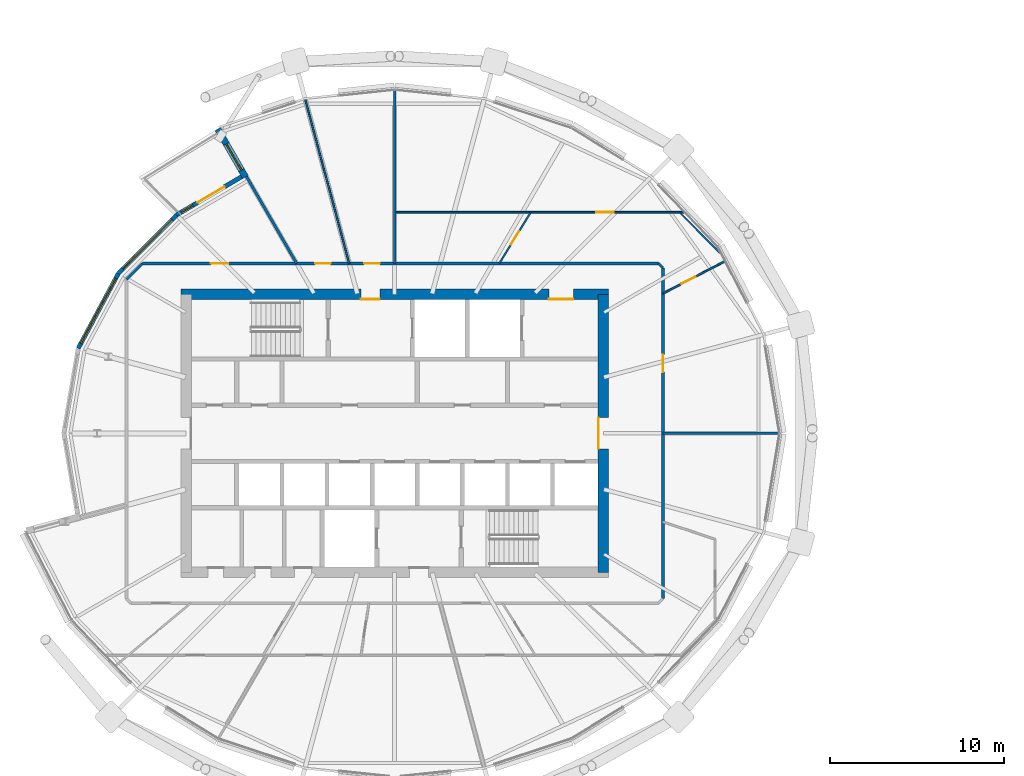
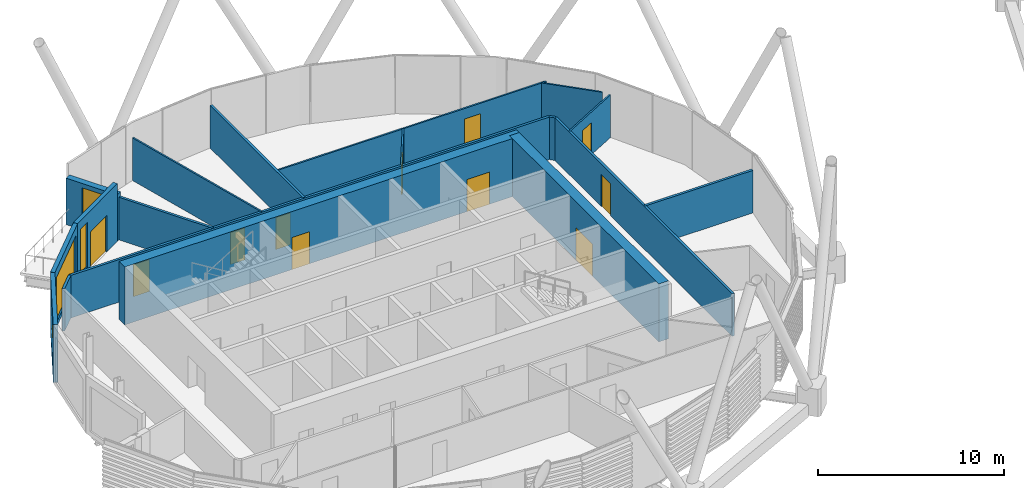
# One storey, part 23 of 37: 18 walls, 11 doors, 4 windows, 15 openings.
"""IFC4 building model written with IfcOpenShell, lengths in metres."""

from ifc_helpers import new_model, si_unit, direction, frame, frame_2d, origin, place, context, subcontext, project, spatial, rectangle, extrude, material, layer, layer_set, type_object, element, fill, save


model = new_model("IFC4")

# Units and contexts
model_context = context("Model", 3, precision=1e-05, world=origin(), true_north=direction((0.0, 1.0)))
body_context = subcontext(model_context, "Body", "Model", "MODEL_VIEW")
ifc_project = project(units=[si_unit("LENGTHUNIT", "METRE"), si_unit("AREAUNIT", "SQUARE_METRE"), si_unit("VOLUMEUNIT", "CUBIC_METRE"), si_unit("PLANEANGLEUNIT", "RADIAN"), si_unit("MASSUNIT", "GRAM", prefix="KILO")], contexts=[model_context])

# Site, building, storey
site_placement = place(None, origin())
site = spatial("IfcSite", under=ifc_project, at=site_placement, CompositionType="ELEMENT")
building_placement = place(site_placement, origin())
building = spatial("IfcBuilding", under=site, at=building_placement, Name="Rimbun Link Towers", CompositionType="ELEMENT")
storey_placement = place(building_placement, frame((0.0, 0.0, 170.300048828125)))
storey = spatial("IfcBuildingStorey", under=building, at=storey_placement, Name="L41", CompositionType="ELEMENT", Elevation=170.300048828125)

# Wall, openings, door, window
ifc_material_1 = material(Name="Dark enamelled glass spandrel on insulated aluminium backpan", Category="aluminium")
ifc_layer_1 = layer(ifc_material_1, 0.25)
ifc_layer_set_1 = layer_set([ifc_layer_1], Name="CS dark enamelled spandrel wall 250")
wall_type_1 = type_object("IfcWallType", Name="CS dark enamelled spandrel wall 250", PredefinedType="STANDARD", material=ifc_layer_set_1)
wall_1_placement = place(storey_placement, frame((-44.295654296875, 12.568115234375, 0.0), z_axis=(0.0, 0.0, 1.0), x_axis=(0.861951603812, 0.506990564691, 0.0)))
wall_1 = element("IfcWall", 1, at=wall_1_placement, inside=storey, type_object=wall_type_1, Name="Crease spandrel wall", PredefinedType="STANDARD", context=body_context, shape_type="SweptSolid", body=[
    extrude(rectangle(XDim=4.3310546875, YDim=0.25, at=frame_2d((2.16552734375, 0.0))), origin(), (0.0, 0.0, 1.0), 3.800048828125),
])
opening_1_placement = place(wall_1_placement, frame((0.323974609375, 0.0, 0.300048828125)))
opening_1 = element("IfcOpeningElement", 2, at=opening_1_placement, cuts=wall_1, Name="Opening WR08H295", PredefinedType="OPENING", context=body_context, shape_type="SweptSolid", body=[
    extrude(rectangle(XDim=0.75, YDim=2.949951171875, at=frame_2d((0.375, 1.47509765625))), frame((0.0, 0.135009765625, 0.0), z_axis=(0.0, -1.0, 0.0), x_axis=(1.0, 0.0, 0.0)), (0.0, 0.0, 1.0), 0.27001953125),
])
opening_2_placement = place(wall_1_placement, frame((1.39794921875, 0.0, 0.0)))
opening_2 = element("IfcOpeningElement", 3, at=opening_2_placement, cuts=wall_1, Name="Opening ED73", PredefinedType="OPENING", context=body_context, shape_type="SweptSolid", body=[
    extrude(rectangle(XDim=1.800048828125, YDim=2.39990234375, at=frame_2d((0.89990234375, 1.199951171875))), frame((0.0, 0.135009765625, 0.0), z_axis=(0.0, -1.0, 0.0), x_axis=(1.0, 0.0, 0.0)), (0.0, 0.0, 1.0), 0.27001953125),
])
ifc_material_2 = material(Name="Aluminium framed glazed door, low-iron glass", Category="aluminium")
door_type_1 = type_object("IfcDoorType", Name="ED terrace door double leaf 1800X2400", OperationType="DOUBLE_DOOR_SINGLE_SWING", PredefinedType="DOOR", material=ifc_material_2)
door_1_placement = place(opening_2_placement, origin())
door_1 = element("IfcDoor", 4, at=door_1_placement, inside=storey, type_object=door_type_1, Name="Terrace door", OperationType="SINGLE_SWING_LEFT", OverallHeight=2.39990234375, OverallWidth=1.800048828125, PredefinedType="DOOR", context=body_context, shape_type="SweptSolid", body=[
    extrude(rectangle(XDim=1.800048828125, YDim=2.39990234375, at=frame_2d((0.89990234375, 1.199951171875))), frame((0.0, 0.02490234375, 0.0), z_axis=(0.0, -1.0, 0.0), x_axis=(1.0, 0.0, 0.0)), (0.0, 0.0, 1.0), 0.050048828125),
])
fill(opening_2, door_1)
ifc_material_3 = material(Name="Aluminium framed fixed window, dark tinted low-e glass", Category="aluminium")
window_type_1 = type_object("IfcWindowType", Name="WR ribbon window 750X2950", PartitioningType="SINGLE_PANEL", PredefinedType="WINDOW", material=ifc_material_3)
window_1_placement = place(opening_1_placement, origin())
window_1 = element("IfcWindow", 5, at=window_1_placement, inside=storey, type_object=window_type_1, Name="Crease ribbon window", OverallHeight=2.949951171875, OverallWidth=0.75, PartitioningType="SINGLE_PANEL", PredefinedType="WINDOW", context=body_context, shape_type="SweptSolid", body=[
    extrude(rectangle(XDim=0.75, YDim=2.949951171875, at=frame_2d((0.375, 1.47509765625))), frame((0.0, 0.030029296875, 0.0), z_axis=(0.0, -1.0, 0.0), x_axis=(1.0, 0.0, 0.0)), (0.0, 0.0, 1.0), 0.06005859375),
])
fill(opening_1, window_1)

# Wall, opening, window
wall_2_placement = place(storey_placement, frame((-47.65380859375, 9.19873046875, 0.0), z_axis=(0.0, 0.0, 1.0), x_axis=(0.705925404514, 0.7082861874, 0.0)))
wall_2 = element("IfcWall", 6, at=wall_2_placement, inside=storey, type_object=wall_type_1, Name="Crease spandrel wall", PredefinedType="STANDARD", context=body_context, shape_type="SweptSolid", body=[
    extrude(rectangle(XDim=4.757080078125, YDim=0.25, at=frame_2d((2.37841796875, 0.0))), origin(), (0.0, 0.0, 1.0), 3.800048828125),
])
opening_3_placement = place(wall_2_placement, frame((0.37841796875, 0.0, 0.300048828125)))
opening_3 = element("IfcOpeningElement", 7, at=opening_3_placement, cuts=wall_2, Name="Opening WR40H295", PredefinedType="OPENING", context=body_context, shape_type="SweptSolid", body=[
    extrude(rectangle(XDim=4.0, YDim=2.949951171875, at=frame_2d((2.0, 1.47509765625))), frame((0.0, 0.135009765625, 0.0), z_axis=(0.0, -1.0, 0.0), x_axis=(1.0, 0.0, 0.0)), (0.0, 0.0, 1.0), 0.27001953125),
])
ifc_material_4 = material(Name="Aluminium framed fixed window, dark tinted low-e glass", Category="aluminium")
window_type_2 = type_object("IfcWindowType", Name="WR ribbon window 4000X2950", PartitioningType="SINGLE_PANEL", PredefinedType="WINDOW", material=ifc_material_4)
window_2_placement = place(opening_3_placement, origin())
window_2 = element("IfcWindow", 8, at=window_2_placement, inside=storey, type_object=window_type_2, Name="Crease ribbon window", OverallHeight=2.949951171875, OverallWidth=4.0, PartitioningType="SINGLE_PANEL", PredefinedType="WINDOW", context=body_context, shape_type="SweptSolid", body=[
    extrude(rectangle(XDim=4.0, YDim=2.949951171875, at=frame_2d((2.0, 1.47509765625))), frame((0.0, 0.030029296875, 0.0), z_axis=(0.0, -1.0, 0.0), x_axis=(1.0, 0.0, 0.0)), (0.0, 0.0, 1.0), 0.06005859375),
])
fill(opening_3, window_2)

wall_3_placement = place(storey_placement, frame((-49.9638671875, 4.889404296875, 0.0), z_axis=(0.0, 0.0, 1.0), x_axis=(0.472458338274, 0.881353004531, 0.0)))
wall_3 = element("IfcWall", 9, at=wall_3_placement, inside=storey, type_object=wall_type_1, Name="Crease spandrel wall", PredefinedType="STANDARD", context=body_context, shape_type="SweptSolid", body=[
    extrude(rectangle(XDim=4.889404296875, YDim=0.25, at=frame_2d((2.44482421875, 0.0))), origin(), (0.0, 0.0, 1.0), 3.800048828125),
])
opening_4_placement = place(wall_3_placement, frame((0.31982421875, 0.0, 0.300048828125)))
opening_4 = element("IfcOpeningElement", 10, at=opening_4_placement, cuts=wall_3, Name="Opening WR42H295", PredefinedType="OPENING", context=body_context, shape_type="SweptSolid", body=[
    extrude(rectangle(XDim=4.25, YDim=2.949951171875, at=frame_2d((2.125, 1.47509765625))), frame((0.0, 0.135009765625, 0.0), z_axis=(0.0, -1.0, 0.0), x_axis=(1.0, 0.0, 0.0)), (0.0, 0.0, 1.0), 0.27001953125),
])
ifc_material_5 = material(Name="Aluminium framed fixed window, dark tinted low-e glass", Category="aluminium")
window_type_3 = type_object("IfcWindowType", Name="WR ribbon window 4250X2950", PartitioningType="SINGLE_PANEL", PredefinedType="WINDOW", material=ifc_material_5)
window_3_placement = place(opening_4_placement, origin())
window_3 = element("IfcWindow", 11, at=window_3_placement, inside=storey, type_object=window_type_3, Name="Crease ribbon window", OverallHeight=2.949951171875, OverallWidth=4.25, PartitioningType="SINGLE_PANEL", PredefinedType="WINDOW", context=body_context, shape_type="SweptSolid", body=[
    extrude(rectangle(XDim=4.25, YDim=2.949951171875, at=frame_2d((2.125, 1.47509765625))), frame((0.0, 0.030029296875, 0.0), z_axis=(0.0, -1.0, 0.0), x_axis=(1.0, 0.0, 0.0)), (0.0, 0.0, 1.0), 0.06005859375),
])
fill(opening_4, window_3)

ifc_material_6 = material(Name="Dark enamelled glass spandrel on insulated aluminium backpan", Category="aluminium")
ifc_layer_2 = layer(ifc_material_6, 0.3701171875)
ifc_layer_set_2 = layer_set([ifc_layer_2], Name="CS dark enamelled spandrel wall 370")
wall_type_2 = type_object("IfcWallType", Name="CS dark enamelled spandrel wall 370", PredefinedType="STANDARD", material=ifc_layer_set_2)
wall_4_placement = place(storey_placement, frame((-40.3408203125, 14.749755859375, 0.0), z_axis=(0.0, 0.0, 1.0), x_axis=(-0.50002815445, 0.866009148195, 0.0)))
wall_4 = element("IfcWall", 12, at=wall_4_placement, inside=storey, type_object=wall_type_2, Name="Crease spandrel wall", PredefinedType="STANDARD", context=body_context, shape_type="SweptSolid", body=[
    extrude(rectangle(XDim=3.179931640625, YDim=0.3701171875, at=frame_2d((1.58984375, 0.0))), origin(), (0.0, 0.0, 1.0), 3.037353515625),
])
opening_5_placement = place(wall_4_placement, frame((0.44921875, 0.0, 0.300048828125)))
opening_5 = element("IfcOpeningElement", 13, at=opening_5_placement, cuts=wall_4, Name="Opening WR18H245", PredefinedType="OPENING", context=body_context, shape_type="SweptSolid", body=[
    extrude(rectangle(XDim=1.75, YDim=2.449951171875, at=frame_2d((0.875, 1.22509765625))), frame((0.0, 0.195068359375, 0.0), z_axis=(0.0, -1.0, 0.0), x_axis=(1.0, 0.0, 0.0)), (0.0, 0.0, 1.0), 0.39013671875),
])
ifc_material_7 = material(Name="Aluminium framed fixed window, dark tinted low-e glass", Category="aluminium")
window_type_4 = type_object("IfcWindowType", Name="WR ribbon window 1750X2450", PartitioningType="SINGLE_PANEL", PredefinedType="WINDOW", material=ifc_material_7)
window_4_placement = place(opening_5_placement, origin())
window_4 = element("IfcWindow", 14, at=window_4_placement, inside=storey, type_object=window_type_4, Name="Crease ribbon window", OverallHeight=2.449951171875, OverallWidth=1.75, PartitioningType="SINGLE_PANEL", PredefinedType="WINDOW", context=body_context, shape_type="SweptSolid", body=[
    extrude(rectangle(XDim=1.75, YDim=2.449951171875, at=frame_2d((0.875, 1.22509765625))), frame((0.0, 0.030029296875, 0.0), z_axis=(0.0, -1.0, 0.0), x_axis=(1.0, 0.0, 0.0)), (0.0, 0.0, 1.0), 0.06005859375),
])
fill(opening_5, window_4)

# Wall, openings, doors
ifc_material_8 = material(Name="Concrete C60/75", Category="concrete")
ifc_layer_3 = layer(ifc_material_8, 0.60009765625)
ifc_layer_set_3 = layer_set([ifc_layer_3], Name="Core shear wall 600")
wall_type_3 = type_object("IfcWallType", Name="Core shear wall 600", PredefinedType="SHEAR", material=ifc_layer_set_3)
wall_5_placement = place(storey_placement, frame((-44.050048828125, 8.0, 0.0), z_axis=(0.0, 0.0, 1.0), x_axis=(1.0, 0.0, 0.0)))
wall_5 = element("IfcWall", 15, at=wall_5_placement, inside=storey, type_object=wall_type_3, Name="L41 T1 core wall N", PredefinedType="SHEAR", context=body_context, shape_type="SweptSolid", body=[
    extrude(rectangle(XDim=24.60009765625, YDim=0.60009765625, at=frame_2d((12.300048828125, 0.0))), origin(), (0.0, 0.0, 1.0), 3.800048828125),
])
opening_6_placement = place(wall_5_placement, frame((10.35009765625, 0.0, 0.0)))
opening_6 = element("IfcOpeningElement", 16, at=opening_6_placement, cuts=wall_5, Name="Opening C1DCF01N", PredefinedType="OPENING", context=body_context, shape_type="SweptSolid", body=[
    extrude(rectangle(XDim=1.10009765625, YDim=2.10009765625, at=frame_2d((0.550048828125, 1.050048828125))), frame((0.0, 0.31005859375, 0.0), z_axis=(0.0, -1.0, 0.0), x_axis=(1.0, 0.0, 0.0)), (0.0, 0.0, 1.0), 0.6201171875),
])
opening_7_placement = place(wall_5_placement, frame((21.175048828125, 0.0, 0.0)))
opening_7 = element("IfcOpeningElement", 17, at=opening_7_placement, cuts=wall_5, Name="Opening C1DSL02N", PredefinedType="OPENING", context=body_context, shape_type="SweptSolid", body=[
    extrude(rectangle(XDim=1.39990234375, YDim=2.10009765625, at=frame_2d((0.699951171875, 1.050048828125))), frame((0.0, 0.31005859375, 0.0), z_axis=(0.0, -1.0, 0.0), x_axis=(1.0, 0.0, 0.0)), (0.0, 0.0, 1.0), 0.6201171875),
])
ifc_material_9 = material(Name="Steel fire door set", Category="steel")
door_type_2 = type_object("IfcDoorType", Name="Core fire door single", OperationType="SINGLE_SWING_LEFT", PredefinedType="DOOR", material=ifc_material_9)
door_2_placement = place(opening_6_placement, origin())
door_2 = element("IfcDoor", 18, at=door_2_placement, inside=storey, type_object=door_type_2, Name="L41 T1 firefighting lobby n door", OperationType="SINGLE_SWING_LEFT", OverallHeight=2.10009765625, OverallWidth=1.10009765625, PredefinedType="DOOR", context=body_context, shape_type="SweptSolid", body=[
    extrude(rectangle(XDim=1.10009765625, YDim=2.10009765625, at=frame_2d((0.550048828125, 1.050048828125))), frame((0.0, -0.25, 0.0), z_axis=(0.0, -1.0, 0.0), x_axis=(1.0, 0.0, 0.0)), (0.0, 0.0, 1.0), 0.050048828125),
])
fill(opening_6, door_2)
ifc_material_10 = material(Name="Steel fire door set", Category="steel")
door_type_3 = type_object("IfcDoorType", Name="Service lobby door double", OperationType="DOUBLE_DOOR_SINGLE_SWING", PredefinedType="DOOR", material=ifc_material_10)
door_3_placement = place(opening_7_placement, origin())
door_3 = element("IfcDoor", 19, at=door_3_placement, inside=storey, type_object=door_type_3, Name="L41 T1 service lobby door", OperationType="DOUBLE_DOOR_SINGLE_SWING", OverallHeight=2.10009765625, OverallWidth=1.39990234375, PredefinedType="DOOR", context=body_context, shape_type="SweptSolid", body=[
    extrude(rectangle(XDim=1.39990234375, YDim=2.10009765625, at=frame_2d((0.699951171875, 1.050048828125))), frame((0.0, -0.25, 0.0), z_axis=(0.0, -1.0, 0.0), x_axis=(1.0, 0.0, 0.0)), (0.0, 0.0, 1.0), 0.050048828125),
])
fill(opening_7, door_3)

# Wall, opening, door
wall_6_placement = place(storey_placement, frame((-19.75, -8.0, 0.0), z_axis=(0.0, 0.0, 1.0), x_axis=(0.0, 1.0, 0.0)))
wall_6 = element("IfcWall", 20, at=wall_6_placement, inside=storey, type_object=wall_type_3, Name="L41 T1 core wall E", PredefinedType="SHEAR", context=body_context, shape_type="SweptSolid", body=[
    extrude(rectangle(XDim=16.0, YDim=0.60009765625, at=frame_2d((8.0, 0.0))), origin(), (0.0, 0.0, 1.0), 3.800048828125),
])
opening_8_placement = place(wall_6_placement, frame((7.10009765625, 0.0, 0.0)))
opening_8 = element("IfcOpeningElement", 21, at=opening_8_placement, cuts=wall_6, Name="Opening C1DCL01E", PredefinedType="OPENING", context=body_context, shape_type="SweptSolid", body=[
    extrude(rectangle(XDim=1.800048828125, YDim=2.10009765625, at=frame_2d((0.89990234375, 1.050048828125))), frame((0.0, 0.31005859375, 0.0), z_axis=(0.0, -1.0, 0.0), x_axis=(1.0, 0.0, 0.0)), (0.0, 0.0, 1.0), 0.6201171875),
])
ifc_material_11 = material(Name="Steel fire door set", Category="steel")
door_type_4 = type_object("IfcDoorType", Name="Core lobby door double", OperationType="DOUBLE_DOOR_SINGLE_SWING", PredefinedType="DOOR", material=ifc_material_11)
door_4_placement = place(opening_8_placement, origin())
door_4 = element("IfcDoor", 22, at=door_4_placement, inside=storey, type_object=door_type_4, Name="L41 T1 lift lobby door", OperationType="DOUBLE_DOOR_SINGLE_SWING", OverallHeight=2.10009765625, OverallWidth=1.800048828125, PredefinedType="DOOR", context=body_context, shape_type="SweptSolid", body=[
    extrude(rectangle(XDim=1.800048828125, YDim=2.10009765625, at=frame_2d((0.89990234375, 1.050048828125))), frame((0.0, 0.2998046875, 0.0), z_axis=(0.0, -1.0, 0.0), x_axis=(1.0, 0.0, 0.0)), (0.0, 0.0, 1.0), 0.050048828125),
])
fill(opening_8, door_4)

# Wall
ifc_material_12 = material(Name="Plasterboard on steel stud, mineral wool", Category="steel")
ifc_layer_4 = layer(ifc_material_12, 0.14990234375)
ifc_layer_set_4 = layer_set([ifc_layer_4], Name="Corridor wall EI 30 150 mm")
wall_type_4 = type_object("IfcWallType", Name="Corridor wall EI 30 150 mm", PredefinedType="PARTITIONING", material=ifc_layer_set_4)
wall_7_placement = place(storey_placement, frame((-16.31494140625, 9.513671875, 0.0), z_axis=(0.0, 0.0, 1.0), x_axis=(-0.707436973419, 0.706776434695, 0.0)))
element("IfcWall", 23, at=wall_7_placement, inside=storey, type_object=wall_type_4, Name="Corridor wall EI 30 150 mm", PredefinedType="PARTITIONING", context=body_context, shape_type="SweptSolid", body=[
    extrude(rectangle(XDim=0.36962890625, YDim=0.14990234375, at=frame_2d((0.184814453125, 0.0))), origin(), (0.0, 0.0, 1.0), 2.7890625),
])

# Wall, opening, door
wall_8_placement = place(storey_placement, frame((-16.31494140625, 9.513671875, 0.0), z_axis=(0.0, 0.0, 1.0), x_axis=(0.0, -1.0, 0.0)))
wall_8 = element("IfcWall", 24, at=wall_8_placement, inside=storey, type_object=wall_type_4, Name="Corridor wall EI 30 150 mm", PredefinedType="PARTITIONING", context=body_context, shape_type="SweptSolid", body=[
    extrude(rectangle(XDim=19.02734375, YDim=0.14990234375, at=frame_2d((9.513671875, 0.0))), origin(), (0.0, 0.0, 1.0), 2.7890625),
])
opening_9_placement = place(wall_8_placement, frame((4.9921875, 0.0, 0.0)))
opening_9 = element("IfcOpeningElement", 25, at=opening_9_placement, cuts=wall_8, Name="Opening D01", PredefinedType="OPENING", context=body_context, shape_type="SweptSolid", body=[
    extrude(rectangle(XDim=1.0, YDim=2.10009765625, at=frame_2d((0.5, 1.050048828125))), frame((0.0, 0.0849609375, 0.0), z_axis=(0.0, -1.0, 0.0), x_axis=(1.0, 0.0, 0.0)), (0.0, 0.0, 1.0), 0.169921875),
])
ifc_material_13 = material(Name="Fire-resisting timber door leaf", Category="wood")
door_type_5 = type_object("IfcDoorType", Name="Fire door FD30S 1000", OperationType="NOTDEFINED", PredefinedType="DOOR", material=ifc_material_13)
door_5_placement = place(opening_9_placement, origin())
door_5 = element("IfcDoor", 26, at=door_5_placement, inside=storey, type_object=door_type_5, Name="Fire door FD30S 1000 to Tenant lobby", OperationType="SINGLE_SWING_LEFT", OverallHeight=2.10009765625, OverallWidth=1.0, PredefinedType="DOOR", context=body_context, shape_type="SweptSolid", body=[
    extrude(rectangle(XDim=1.0, YDim=2.10009765625, at=frame_2d((0.5, 1.050048828125))), frame((0.0, 0.02490234375, 0.0), z_axis=(0.0, -1.0, 0.0), x_axis=(1.0, 0.0, 0.0)), (0.0, 0.0, 1.0), 0.050048828125),
])
fill(opening_9, door_5)

# Wall
wall_9_placement = place(storey_placement, frame((-46.267578125, 9.77490234375, 0.0), z_axis=(0.0, 0.0, 1.0), x_axis=(-0.705978721468, -0.708233044155, 0.0)))
element("IfcWall", 27, at=wall_9_placement, inside=storey, type_object=wall_type_4, Name="Corridor wall EI 30 150 mm", PredefinedType="PARTITIONING", context=body_context, shape_type="SweptSolid", body=[
    extrude(rectangle(XDim=1.299560546875, YDim=0.14990234375, at=frame_2d((0.64990234375, 0.0))), origin(), (0.0, 0.0, 1.0), 2.7890625),
])

# Wall, openings, doors
wall_10_placement = place(storey_placement, frame((-46.267578125, 9.77490234375, 0.0), z_axis=(0.0, 0.0, 1.0), x_axis=(1.0, 0.0, 0.0)))
wall_10 = element("IfcWall", 28, at=wall_10_placement, inside=storey, type_object=wall_type_4, Name="Corridor wall EI 30 150 mm", PredefinedType="PARTITIONING", context=body_context, shape_type="SweptSolid", body=[
    extrude(rectangle(XDim=29.691162109375, YDim=0.14990234375, at=frame_2d((14.845703125, 0.0))), origin(), (0.0, 0.0, 1.0), 2.7890625),
])
opening_10_placement = place(wall_10_placement, frame((12.758056640625, 0.0, 0.0)))
opening_10 = element("IfcOpeningElement", 29, at=opening_10_placement, cuts=wall_10, Name="Opening D02", PredefinedType="OPENING", context=body_context, shape_type="SweptSolid", body=[
    extrude(rectangle(XDim=0.89990234375, YDim=2.10009765625, at=frame_2d((0.449951171875, 1.050048828125))), frame((0.0, 0.0849609375, 0.0), z_axis=(0.0, -1.0, 0.0), x_axis=(1.0, 0.0, 0.0)), (0.0, 0.0, 1.0), 0.169921875),
])
opening_11_placement = place(wall_10_placement, frame((9.936279296875, 0.0, 0.0)))
opening_11 = element("IfcOpeningElement", 30, at=opening_11_placement, cuts=wall_10, Name="Opening D02", PredefinedType="OPENING", context=body_context, shape_type="SweptSolid", body=[
    extrude(rectangle(XDim=0.89990234375, YDim=2.10009765625, at=frame_2d((0.449951171875, 1.050048828125))), frame((0.0, 0.0849609375, 0.0), z_axis=(0.0, -1.0, 0.0), x_axis=(1.0, 0.0, 0.0)), (0.0, 0.0, 1.0), 0.169921875),
])
opening_12_placement = place(wall_10_placement, frame((3.93701171875, 0.0, 0.0)))
opening_12 = element("IfcOpeningElement", 31, at=opening_12_placement, cuts=wall_10, Name="Opening D01", PredefinedType="OPENING", context=body_context, shape_type="SweptSolid", body=[
    extrude(rectangle(XDim=1.0, YDim=2.10009765625, at=frame_2d((0.5, 1.050048828125))), frame((0.0, 0.0849609375, 0.0), z_axis=(0.0, -1.0, 0.0), x_axis=(1.0, 0.0, 0.0)), (0.0, 0.0, 1.0), 0.169921875),
])
door_6_placement = place(opening_12_placement, origin())
door_6 = element("IfcDoor", 32, at=door_6_placement, inside=storey, type_object=door_type_5, Name="Fire door FD30S 1000 to Terrace office", OperationType="SINGLE_SWING_RIGHT", OverallHeight=2.10009765625, OverallWidth=1.0, PredefinedType="DOOR", context=body_context, shape_type="SweptSolid", body=[
    extrude(rectangle(XDim=1.0, YDim=2.10009765625, at=frame_2d((0.5, 1.050048828125))), frame((0.0, 0.02490234375, 0.0), z_axis=(0.0, -1.0, 0.0), x_axis=(1.0, 0.0, 0.0)), (0.0, 0.0, 1.0), 0.050048828125),
])
fill(opening_12, door_6)
ifc_material_14 = material(Name="Fire-resisting timber door leaf", Category="wood")
door_type_6 = type_object("IfcDoorType", Name="Fire door FD30S 900", OperationType="NOTDEFINED", PredefinedType="DOOR", material=ifc_material_14)
door_7_placement = place(opening_10_placement, origin())
door_7 = element("IfcDoor", 33, at=door_7_placement, inside=storey, type_object=door_type_6, Name="Fire door FD30S 900 to Training room", OperationType="SINGLE_SWING_RIGHT", OverallHeight=2.10009765625, OverallWidth=0.89990234375, PredefinedType="DOOR", context=body_context, shape_type="SweptSolid", body=[
    extrude(rectangle(XDim=0.89990234375, YDim=2.10009765625, at=frame_2d((0.449951171875, 1.050048828125))), frame((0.0, 0.02490234375, 0.0), z_axis=(0.0, -1.0, 0.0), x_axis=(1.0, 0.0, 0.0)), (0.0, 0.0, 1.0), 0.050048828125),
])
fill(opening_10, door_7)
door_8_placement = place(opening_11_placement, origin())
door_8 = element("IfcDoor", 34, at=door_8_placement, inside=storey, type_object=door_type_6, Name="Fire door FD30S 900 to Meeting room", OperationType="SINGLE_SWING_LEFT", OverallHeight=2.10009765625, OverallWidth=0.89990234375, PredefinedType="DOOR", context=body_context, shape_type="SweptSolid", body=[
    extrude(rectangle(XDim=0.89990234375, YDim=2.10009765625, at=frame_2d((0.449951171875, 1.050048828125))), frame((0.0, 0.02490234375, 0.0), z_axis=(0.0, -1.0, 0.0), x_axis=(1.0, 0.0, 0.0)), (0.0, 0.0, 1.0), 0.050048828125),
])
fill(opening_11, door_8)

# Wall, opening, door
ifc_material_15 = material(Name="Plasterboard on steel stud", Category="steel")
ifc_layer_5 = layer(ifc_material_15, 0.10009765625)
ifc_layer_set_5 = layer_set([ifc_layer_5], Name="Plasterboard partition 100 mm")
wall_type_5 = type_object("IfcWallType", Name="Plasterboard partition 100 mm", PredefinedType="PARTITIONING", material=ifc_layer_set_5)
wall_11_placement = place(storey_placement, frame((-16.31494140625, 8.042724609375, 0.0), z_axis=(0.0, 0.0, 1.0), x_axis=(0.886835045354, 0.46208614168, 0.0)))
wall_11 = element("IfcWall", 35, at=wall_11_placement, inside=storey, type_object=wall_type_5, Name="Plasterboard partition 100 mm", PredefinedType="PARTITIONING", context=body_context, shape_type="SweptSolid", body=[
    extrude(rectangle(XDim=4.034423828125, YDim=0.10009765625, at=frame_2d((2.01708984375, 0.0))), origin(), (0.0, 0.0, 1.0), 2.7890625),
])
opening_13_placement = place(wall_11_placement, frame((1.20751953125, 0.0, 0.0)))
opening_13 = element("IfcOpeningElement", 36, at=opening_13_placement, cuts=wall_11, Name="Opening D04", PredefinedType="OPENING", context=body_context, shape_type="SweptSolid", body=[
    extrude(rectangle(XDim=0.89990234375, YDim=2.10009765625, at=frame_2d((0.449951171875, 1.050048828125))), frame((0.0, 0.06005859375, 0.0), z_axis=(0.0, -1.0, 0.0), x_axis=(1.0, 0.0, 0.0)), (0.0, 0.0, 1.0), 0.1201171875),
])
ifc_material_16 = material(Name="Timber door leaf", Category="wood")
door_type_7 = type_object("IfcDoorType", Name="Flush door 900", OperationType="NOTDEFINED", PredefinedType="DOOR", material=ifc_material_16)
door_9_placement = place(opening_13_placement, origin())
door_9 = element("IfcDoor", 37, at=door_9_placement, inside=storey, type_object=door_type_7, Name="Flush door 900 to Data room", OperationType="SINGLE_SWING_RIGHT", OverallHeight=2.10009765625, OverallWidth=0.89990234375, PredefinedType="DOOR", context=body_context, shape_type="SweptSolid", body=[
    extrude(rectangle(XDim=0.89990234375, YDim=2.10009765625, at=frame_2d((0.449951171875, 1.050048828125))), frame((0.0, 0.02490234375, 0.0), z_axis=(0.0, -1.0, 0.0), x_axis=(1.0, 0.0, 0.0)), (0.0, 0.0, 1.0), 0.050048828125),
])
fill(opening_13, door_9)

wall_12_placement = place(storey_placement, frame((-25.73388671875, 9.77490234375, 0.0), z_axis=(0.0, 0.0, 1.0), x_axis=(0.524093480001, 0.851660744792, 0.0)))
wall_12 = element("IfcWall", 38, at=wall_12_placement, inside=storey, type_object=wall_type_5, Name="Plasterboard partition 100 mm", PredefinedType="PARTITIONING", context=body_context, shape_type="SweptSolid", body=[
    extrude(rectangle(XDim=3.452392578125, YDim=0.10009765625, at=frame_2d((1.72607421875, 0.0))), origin(), (0.0, 0.0, 1.0), 2.7890625),
])
opening_14_placement = place(wall_12_placement, frame((1.276123046875, 0.0, 0.0)))
opening_14 = element("IfcOpeningElement", 39, at=opening_14_placement, cuts=wall_12, Name="Opening D04", PredefinedType="OPENING", context=body_context, shape_type="SweptSolid", body=[
    extrude(rectangle(XDim=0.89990234375, YDim=2.10009765625, at=frame_2d((0.449951171875, 1.050048828125))), frame((0.0, 0.06005859375, 0.0), z_axis=(0.0, -1.0, 0.0), x_axis=(1.0, 0.0, 0.0)), (0.0, 0.0, 1.0), 0.1201171875),
])
door_10_placement = place(opening_14_placement, origin())
door_10 = element("IfcDoor", 40, at=door_10_placement, inside=storey, type_object=door_type_7, Name="Flush door 900 to Communications room", OperationType="SINGLE_SWING_LEFT", OverallHeight=2.10009765625, OverallWidth=0.89990234375, PredefinedType="DOOR", context=body_context, shape_type="SweptSolid", body=[
    extrude(rectangle(XDim=0.89990234375, YDim=2.10009765625, at=frame_2d((0.449951171875, 1.050048828125))), frame((0.0, 0.02490234375, 0.0), z_axis=(0.0, -1.0, 0.0), x_axis=(1.0, 0.0, 0.0)), (0.0, 0.0, 1.0), 0.050048828125),
])
fill(opening_14, door_10)

wall_13_placement = place(storey_placement, frame((-31.75, 12.715087890625, 0.0), z_axis=(0.0, 0.0, 1.0), x_axis=(1.0, 0.0, 0.0)))
wall_13 = element("IfcWall", 41, at=wall_13_placement, inside=storey, type_object=wall_type_5, Name="Plasterboard partition 100 mm", PredefinedType="PARTITIONING", context=body_context, shape_type="SweptSolid", body=[
    extrude(rectangle(XDim=16.67919921875, YDim=0.10009765625, at=frame_2d((8.339599609375, 0.0))), origin(), (0.0, 0.0, 1.0), 2.7890625),
])
opening_15_placement = place(wall_13_placement, frame((11.5908203125, 0.0, 0.0)))
opening_15 = element("IfcOpeningElement", 42, at=opening_15_placement, cuts=wall_13, Name="Opening D03", PredefinedType="OPENING", context=body_context, shape_type="SweptSolid", body=[
    extrude(rectangle(XDim=1.0, YDim=2.10009765625, at=frame_2d((0.5, 1.050048828125))), frame((0.0, 0.06005859375, 0.0), z_axis=(0.0, -1.0, 0.0), x_axis=(1.0, 0.0, 0.0)), (0.0, 0.0, 1.0), 0.1201171875),
])
ifc_material_17 = material(Name="Timber door leaf", Category="wood")
door_type_8 = type_object("IfcDoorType", Name="Flush door 1000", OperationType="NOTDEFINED", PredefinedType="DOOR", material=ifc_material_17)
door_11_placement = place(opening_15_placement, origin())
door_11 = element("IfcDoor", 43, at=door_11_placement, inside=storey, type_object=door_type_8, Name="Flush door 1000 to Trading floor", OperationType="SINGLE_SWING_RIGHT", OverallHeight=2.10009765625, OverallWidth=1.0, PredefinedType="DOOR", context=body_context, shape_type="SweptSolid", body=[
    extrude(rectangle(XDim=1.0, YDim=2.10009765625, at=frame_2d((0.5, 1.050048828125))), frame((0.0, 0.02490234375, 0.0), z_axis=(0.0, -1.0, 0.0), x_axis=(1.0, 0.0, 0.0)), (0.0, 0.0, 1.0), 0.050048828125),
])
fill(opening_15, door_11)

# Walls
wall_14_placement = place(storey_placement, frame((-12.96142578125, 10.31787109375, 0.0), z_axis=(0.0, 0.0, 1.0), x_axis=(-0.707070771369, 0.70714278917, 0.0)))
element("IfcWall", 44, at=wall_14_placement, inside=storey, type_object=wall_type_5, Name="Plasterboard partition 100 mm", PredefinedType="PARTITIONING", context=body_context, shape_type="SweptSolid", body=[
    extrude(rectangle(XDim=3.389892578125, YDim=0.10009765625, at=frame_2d((1.69482421875, 0.0))), origin(), (0.0, 0.0, 1.0), 2.7890625),
])
wall_15_placement = place(storey_placement, frame((-36.896484375, 19.20654296875, 0.0), z_axis=(0.0, 0.0, 1.0), x_axis=(0.258832734057, -0.965922158241, 0.0)))
element("IfcWall", 45, at=wall_15_placement, inside=storey, type_object=wall_type_5, Name="Plasterboard partition 100 mm", PredefinedType="PARTITIONING", context=body_context, shape_type="SweptSolid", body=[
    extrude(rectangle(XDim=9.764404296875, YDim=0.10009765625, at=frame_2d((4.88232421875, 0.0))), origin(), (0.0, 0.0, 1.0), 2.7890625),
])
ifc_material_18 = material(Name="Plasterboard on steel stud, mineral wool", Category="steel")
ifc_layer_6 = layer(ifc_material_18, 0.14990234375)
ifc_layer_set_6 = layer_set([ifc_layer_6], Name="Tenancy separation wall EI 60 150 mm")
wall_type_6 = type_object("IfcWallType", Name="Tenancy separation wall EI 60 150 mm", PredefinedType="PARTITIONING", material=ifc_layer_set_6)
wall_16_placement = place(storey_placement, frame((-16.31494140625, 0.0, 0.0), z_axis=(0.0, 0.0, 1.0), x_axis=(1.0, 0.0, 0.0)))
element("IfcWall", 46, at=wall_16_placement, inside=storey, type_object=wall_type_6, Name="Tenancy separation wall EI 60 150 mm", PredefinedType="PARTITIONING", context=body_context, shape_type="SweptSolid", body=[
    extrude(rectangle(XDim=6.683349609375, YDim=0.14990234375, at=frame_2d((3.341796875, 0.0))), origin(), (0.0, 0.0, 1.0), 2.7890625),
])
wall_17_placement = place(storey_placement, frame((-31.75, 9.77490234375, 0.0), z_axis=(0.0, 0.0, 1.0), x_axis=(0.0, 1.0, 0.0)))
element("IfcWall", 47, at=wall_17_placement, inside=storey, type_object=wall_type_6, Name="Tenancy separation wall EI 60 150 mm", PredefinedType="PARTITIONING", context=body_context, shape_type="SweptSolid", body=[
    extrude(rectangle(XDim=9.9736328125, YDim=0.14990234375, at=frame_2d((4.98681640625, 0.0))), origin(), (0.0, 0.0, 1.0), 2.7890625),
])
wall_18_placement = place(storey_placement, frame((-37.3935546875, 9.77490234375, 0.0), z_axis=(0.0, 0.0, 1.0), x_axis=(-0.500017289984, 0.866015421177, 0.0)))
element("IfcWall", 48, at=wall_18_placement, inside=storey, type_object=wall_type_6, Name="Tenancy separation wall EI 60 150 mm", PredefinedType="PARTITIONING", context=body_context, shape_type="SweptSolid", body=[
    extrude(rectangle(XDim=5.781982421875, YDim=0.14990234375, at=frame_2d((2.89111328125, 0.0))), origin(), (0.0, 0.0, 1.0), 2.7890625),
])

save(model, "model.ifc")
